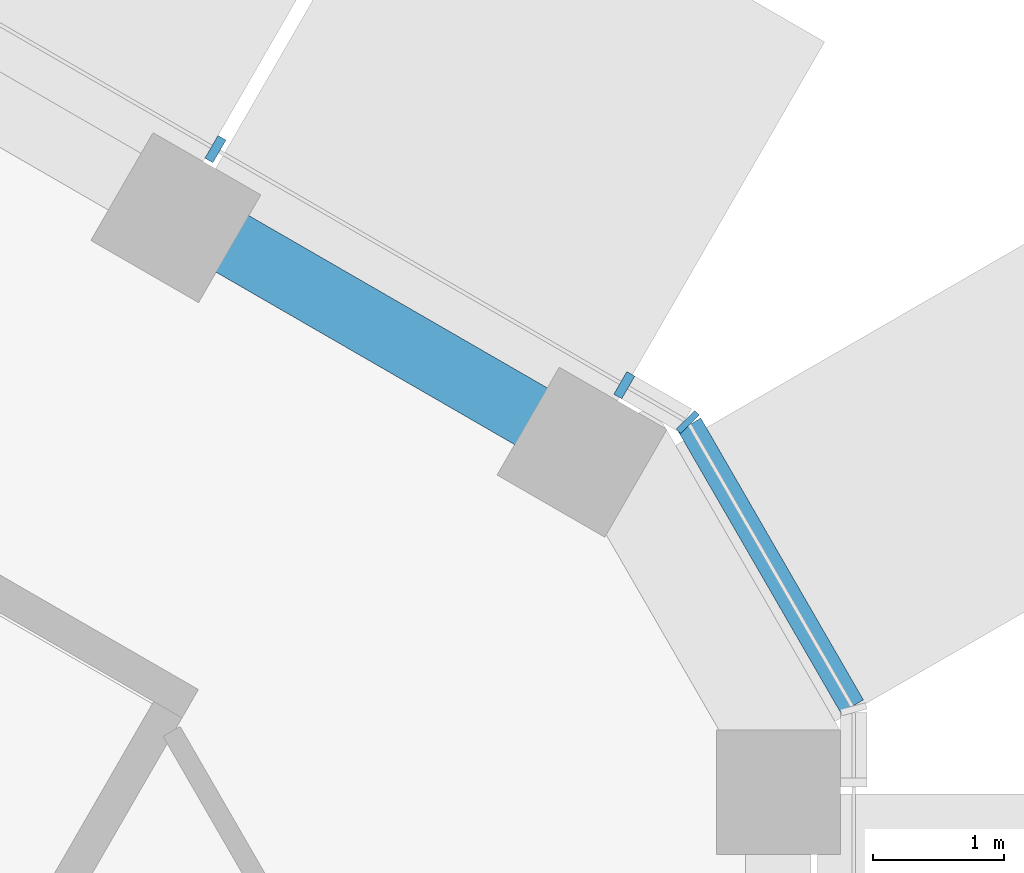
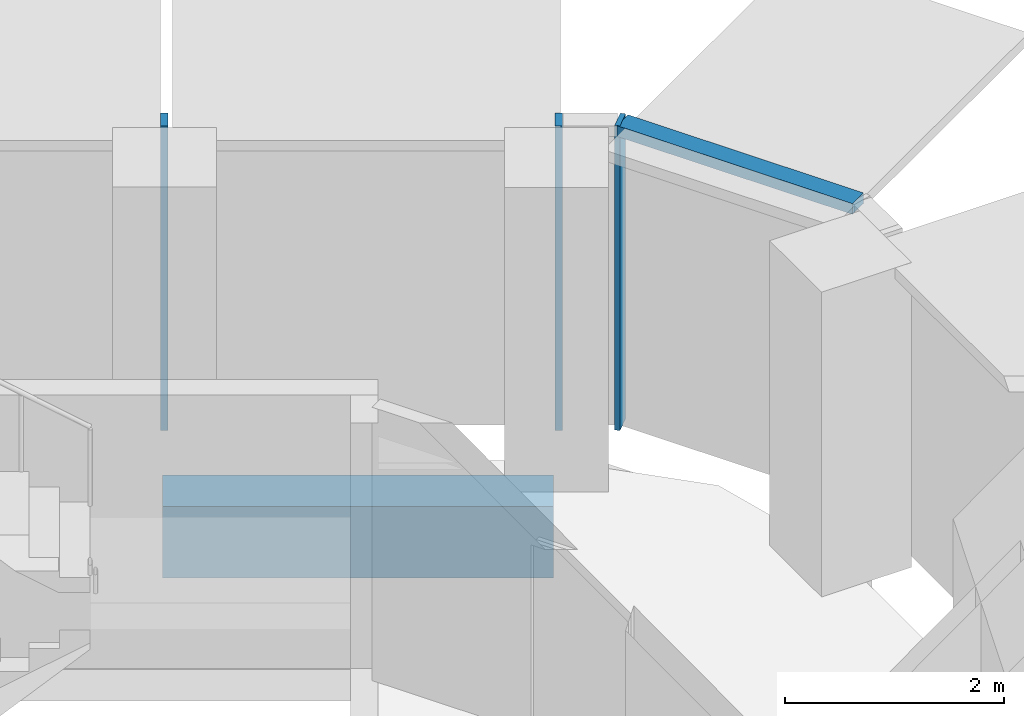
# One storey, part 7 of 18: 4 members, 1 beam, 2 elements without a shape of their own.
"""IFC4 building model written with IfcOpenShell, lengths in metres."""

from ifc_helpers import new_model, si_unit, direction, frame, origin, origin_2d, place, context, subcontext, project, spatial, rectangle, extrude, material, layer, layer_set, material_profile, profile_set, type_object, element, aggregate, save


model = new_model("IFC4")

# Units and contexts
model_context = context("Model", 3, precision=1e-05, world=origin(), true_north=direction((0.0, 1.0)))
body_context = subcontext(model_context, "Body", "Model", "MODEL_VIEW")
ifc_project = project(units=[si_unit("LENGTHUNIT", "METRE"), si_unit("AREAUNIT", "SQUARE_METRE"), si_unit("VOLUMEUNIT", "CUBIC_METRE"), si_unit("PLANEANGLEUNIT", "RADIAN"), si_unit("MASSUNIT", "GRAM", prefix="KILO")], contexts=[model_context])

# Site, building, storey
site_placement = place(None, origin())
site = spatial("IfcSite", under=ifc_project, at=site_placement, CompositionType="ELEMENT")
building_placement = place(site_placement, origin())
building = spatial("IfcBuilding", under=site, at=building_placement, Name="Ayvan Gate Tower", CompositionType="ELEMENT")
storey_placement = place(building_placement, frame((0.0, 0.0, 169.699951171875)))
storey = spatial("IfcBuildingStorey", under=building, at=storey_placement, Name="L45", CompositionType="ELEMENT", Elevation=169.699951171875)

# Beam
ifc_material_1 = material(Name="Concrete C40/50", Category="concrete")
ifc_material_profile_1 = material_profile(ifc_material_1, rectangle(XDim=0.5, YDim=0.800048828125, at=origin_2d()), Name="RC 500x800")
ifc_profile_set_1 = profile_set([ifc_material_profile_1], Name="Concrete C40/50")
beam_type = type_object("IfcBeamType", Name="Spandrel beam RC 500x800 C40/50", PredefinedType="BEAM", material=ifc_profile_set_1)
beam_placement = place(storey_placement, frame((16.6865234375, 11.03857421875, -0.75), z_axis=(-0.866018300902, 0.500012302351, 0.0), x_axis=(-0.500012302351, -0.866018300902, 0.0)))
element("IfcBeam", 1, at=beam_placement, inside=storey, type_object=beam_type, Name="SB-L45-7", PredefinedType="BEAM", context=body_context, shape_type="SweptSolid", body=[
    extrude(rectangle(XDim=0.5, YDim=0.800048828125, at=origin_2d()), origin(), (0.0, 0.0, 1.0), 3.57275390625),
])

# Curtain wall, members
ifc_material_2 = material(Name="Bronze anodised aluminium", Category="aluminium")
ifc_layer_1 = layer(ifc_material_2, 0.199951171875)
ifc_layer_set_1 = layer_set([ifc_layer_1], Name="Bronze anodised aluminium")
curtain_wall_type_1 = type_object("IfcCurtainWallType", Name="Stick curtain wall CW-2", PredefinedType="NOTDEFINED", material=ifc_layer_set_1)
curtain_wall_1_placement = place(storey_placement, origin())
curtain_wall_1 = element("IfcCurtainWall", 2, at=curtain_wall_1_placement, inside=storey, type_object=curtain_wall_type_1, Name="Stick curtain wall CW-2 L45", PredefinedType="NOTDEFINED")
ifc_material_profile_2 = material_profile(ifc_material_2, rectangle(XDim=0.199951171875, YDim=0.070068359375, at=origin_2d()), Name="Stick curtain wall CW-2 mullion 200 x 70")
ifc_profile_set_2 = profile_set([ifc_material_profile_2], Name="Bronze anodised aluminium")
member_type_1 = type_object("IfcMemberType", Name="Stick curtain wall CW-2 mullion 200 x 70", PredefinedType="MULLION", material=ifc_profile_set_2)
member_1_placement = place(storey_placement, frame((17.00927734375, 11.5009765625, 0.0), z_axis=(0.0, 0.0, 1.0), x_axis=(0.5, 0.866025403784, 0.0)))
member_1 = element("IfcMember", 3, at=member_1_placement, type_object=member_type_1, Name="CW-2 mullion 1", PredefinedType="MULLION", context=body_context, shape_type="SweptSolid", body=[
    extrude(rectangle(XDim=0.199951171875, YDim=0.070068359375, at=origin_2d()), origin(), (0.0, 0.0, 1.0), 3.400146484375),
])
member_2_placement = place(storey_placement, frame((13.886474609375, 13.303955078125, 0.0), z_axis=(0.0, 0.0, 1.0), x_axis=(0.5, 0.866025403784, 0.0)))
member_2 = element("IfcMember", 4, at=member_2_placement, type_object=member_type_1, Name="CW-2 mullion 2", PredefinedType="MULLION", context=body_context, shape_type="SweptSolid", body=[
    extrude(rectangle(XDim=0.199951171875, YDim=0.070068359375, at=origin_2d()), origin(), (0.0, 0.0, 1.0), 3.400146484375),
])
aggregate(curtain_wall_1, [member_1, member_2])

ifc_layer_2 = layer(ifc_material_2, 0.199951171875)
ifc_layer_set_2 = layer_set([ifc_layer_2], Name="Bronze anodised aluminium")
curtain_wall_type_2 = type_object("IfcCurtainWallType", Name="Stick curtain wall CW-6", PredefinedType="NOTDEFINED", material=ifc_layer_set_2)
curtain_wall_2_placement = place(storey_placement, origin())
curtain_wall_2 = element("IfcCurtainWall", 5, at=curtain_wall_2_placement, inside=storey, type_object=curtain_wall_type_2, Name="Stick curtain wall CW-6 L45", PredefinedType="NOTDEFINED")
ifc_material_profile_3 = material_profile(ifc_material_2, rectangle(XDim=0.199951171875, YDim=0.050048828125, at=origin_2d()), Name="Stick curtain wall CW-6 mullion 200 x 50")
ifc_profile_set_3 = profile_set([ifc_material_profile_3], Name="Bronze anodised aluminium")
member_type_2 = type_object("IfcMemberType", Name="Stick curtain wall CW-6 mullion 200 x 50", PredefinedType="MULLION", material=ifc_profile_set_3)
member_3_placement = place(storey_placement, frame((17.494140625, 11.220947265625, 0.0), z_axis=(0.0, 0.0, 1.0), x_axis=(0.707106781187, 0.707106781187, 0.0)))
member_3 = element("IfcMember", 6, at=member_3_placement, type_object=member_type_2, Name="CW-6 mullion 3", PredefinedType="MULLION", context=body_context, shape_type="SweptSolid", body=[
    extrude(rectangle(XDim=0.199951171875, YDim=0.050048828125, at=origin_2d()), origin(), (0.0, 0.0, 1.0), 3.400146484375),
])
ifc_material_profile_4 = material_profile(ifc_material_2, rectangle(XDim=0.199951171875, YDim=0.1201171875, at=origin_2d()), Name="Stick curtain wall CW-6 transom 200 x 120")
ifc_profile_set_4 = profile_set([ifc_material_profile_4], Name="Bronze anodised aluminium")
member_type_3 = type_object("IfcMemberType", Name="Stick curtain wall CW-6 transom 200 x 120", PredefinedType="USERDEFINED", material=ifc_profile_set_4)
member_4_placement = place(storey_placement, frame((18.7490234375, 9.047607421875, 3.340087890625), z_axis=(-0.499943602543, 0.866057962423, 0.0), x_axis=(-0.866057962423, -0.499943602543, 0.0)))
member_4 = element("IfcMember", 7, at=member_4_placement, type_object=member_type_3, Name="CW-6 transom 2", ObjectType="TRANSOM", PredefinedType="USERDEFINED", context=body_context, shape_type="SweptSolid", body=[
    extrude(rectangle(XDim=0.199951171875, YDim=0.1201171875, at=origin_2d()), origin(), (0.0, 0.0, 1.0), 2.484619140625),
])
aggregate(curtain_wall_2, [member_3, member_4])

save(model, "model.ifc")
